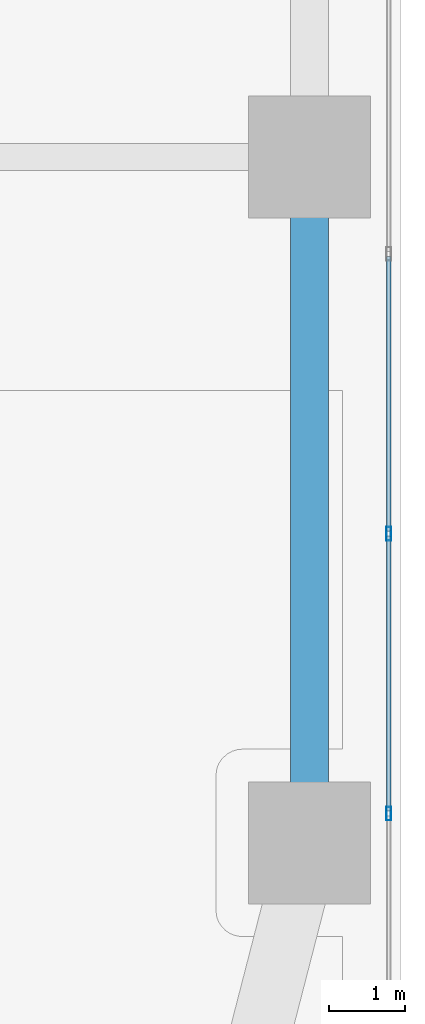
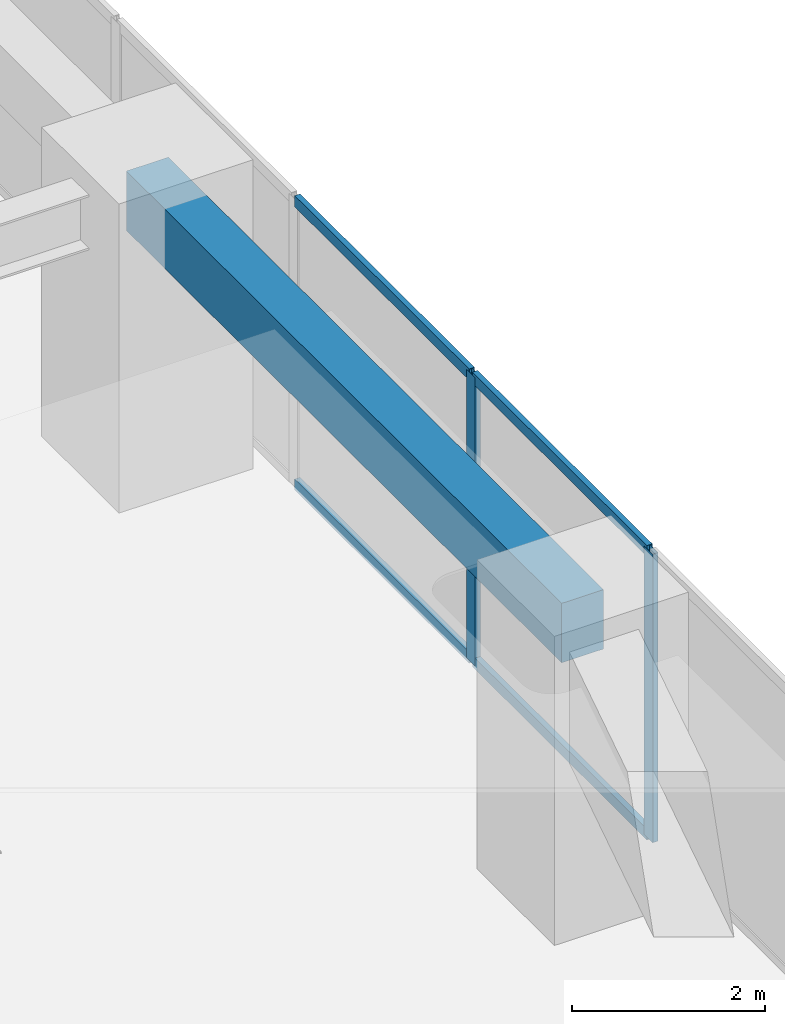
# One storey, part 9 of 26: 6 members, 1 beam, 1 element without a shape of its own.
"""IFC4 building model written with IfcOpenShell, lengths in metres."""

from ifc_helpers import new_model, si_unit, direction, frame, origin, origin_2d, place, context, subcontext, project, spatial, rectangle, hollow_rectangle, extrude, material, layer, layer_set, material_profile, profile_set, type_object, element, aggregate, save


model = new_model("IFC4")

# Units and contexts
model_context = context("Model", 3, precision=1e-05, world=origin(), true_north=direction((0.0, 1.0)))
body_context = subcontext(model_context, "Body", "Model", "MODEL_VIEW")
ifc_project = project(units=[si_unit("LENGTHUNIT", "METRE"), si_unit("AREAUNIT", "SQUARE_METRE"), si_unit("VOLUMEUNIT", "CUBIC_METRE"), si_unit("PLANEANGLEUNIT", "RADIAN"), si_unit("MASSUNIT", "GRAM", prefix="KILO")], contexts=[model_context])

# Site, building, storey
site_placement = place(None, origin())
site = spatial("IfcSite", under=ifc_project, at=site_placement, CompositionType="ELEMENT")
building_placement = place(site_placement, origin())
building = spatial("IfcBuilding", under=site, at=building_placement, Name="Kiyonajd Concourse Tower", CompositionType="ELEMENT")
storey_placement = place(building_placement, frame((0.0, 0.0, 72.89990234375)))
storey = spatial("IfcBuildingStorey", under=building, at=storey_placement, Name="L19", CompositionType="ELEMENT", Elevation=72.89990234375)

# Beam
ifc_material_1 = material(Name="Precast concrete C50/60", Category="concrete")
ifc_material_profile_1 = material_profile(ifc_material_1, rectangle(XDim=0.5, YDim=0.75, at=origin_2d()), Name="RCBM-500x750")
ifc_profile_set_1 = profile_set([ifc_material_profile_1], Name="Precast concrete C50/60")
beam_type = type_object("IfcBeamType", Name="BM-SPAN-RC", PredefinedType="SPANDREL", material=ifc_profile_set_1)
beam_placement = place(storey_placement, frame((78.0, 18.60009765625, 3.26513671875), z_axis=(0.0, 1.0, 0.0), x_axis=(-1.0, 0.0, 0.0)))
element("IfcBeam", 1, at=beam_placement, inside=storey, type_object=beam_type, Name="L19 Perimeter Bundled Tube Spandrel", PredefinedType="SPANDREL", context=body_context, shape_type="SweptSolid", body=[
    extrude(rectangle(XDim=0.5, YDim=0.75, at=origin_2d()), origin(), (0.0, 0.0, 1.0), 9.0),
])

# Curtain wall, members
ifc_material_2 = material(Name="Thermally Broken Anodised Aluminium", Category="aluminium")
ifc_layer = layer(ifc_material_2, 0.179931640625)
ifc_layer_set = layer_set([ifc_layer], Name="Thermally Broken Anodised Aluminium")
curtain_wall_type = type_object("IfcCurtainWallType", Name="CW-SYS-02", PredefinedType="NOTDEFINED", material=ifc_layer_set)
curtain_wall_placement = place(storey_placement, origin())
curtain_wall = element("IfcCurtainWall", 2, at=curtain_wall_placement, inside=storey, type_object=curtain_wall_type, Name="L19 Unitised Curtain Wall CW2", PredefinedType="NOTDEFINED")
ifc_material_profile_2 = material_profile(ifc_material_2, hollow_rectangle(XDim=0.06494140625, YDim=0.179931640625, WallThickness=0.00390625, at=origin_2d()), Name="MULL-65x180")
ifc_profile_set_2 = profile_set([ifc_material_profile_2], Name="Thermally Broken Anodised Aluminium")
member_type_1 = type_object("IfcMemberType", Name="MB-CW-MULL1", PredefinedType="MULLION", material=ifc_profile_set_2)
member_1_placement = place(storey_placement, frame((79.0400390625, 22.657470703125, 0.0), z_axis=(0.0, 0.0, 1.0), x_axis=(1.0, 0.0, 0.0)))
member_1 = element("IfcMember", 3, at=member_1_placement, type_object=member_type_1, Name="CW2 mullion 5", PredefinedType="MULLION", context=body_context, shape_type="SweptSolid", body=[
    extrude(hollow_rectangle(XDim=0.06494140625, YDim=0.179931640625, WallThickness=0.00390625, at=origin_2d()), origin(), (0.0, 0.0, 1.0), 3.64013671875),
])
member_2_placement = place(storey_placement, frame((79.0400390625, 18.984130859375, 0.0), z_axis=(0.0, 0.0, 1.0), x_axis=(1.0, 0.0, 0.0)))
member_2 = element("IfcMember", 4, at=member_2_placement, type_object=member_type_1, Name="CW2 mullion 6", PredefinedType="MULLION", context=body_context, shape_type="SweptSolid", body=[
    extrude(hollow_rectangle(XDim=0.06494140625, YDim=0.179931640625, WallThickness=0.00390625, at=origin_2d()), origin(), (0.0, 0.0, 1.0), 3.64013671875),
])
ifc_material_profile_3 = material_profile(ifc_material_2, hollow_rectangle(XDim=0.06494140625, YDim=0.139892578125, WallThickness=0.00390625, at=origin_2d()), Name="TRAN-65x140")
ifc_profile_set_3 = profile_set([ifc_material_profile_3], Name="Thermally Broken Anodised Aluminium")
member_type_2 = type_object("IfcMemberType", Name="MB-CW-TRAN1", PredefinedType="USERDEFINED", material=ifc_profile_set_3)
member_3_placement = place(storey_placement, frame((79.0400390625, 26.298095703125, 0.03271484375), z_axis=(0.0, -1.0, 0.0), x_axis=(1.0, 0.0, 0.0)))
member_3 = element("IfcMember", 5, at=member_3_placement, type_object=member_type_2, Name="CW2 transom 4.1", ObjectType="TRANSOM", PredefinedType="USERDEFINED", context=body_context, shape_type="SweptSolid", body=[
    extrude(hollow_rectangle(XDim=0.06494140625, YDim=0.139892578125, WallThickness=0.00390625, at=origin_2d()), origin(), (0.0, 0.0, 1.0), 3.608154296875),
])
member_4_placement = place(storey_placement, frame((79.0400390625, 26.298095703125, 3.607666015625), z_axis=(0.0, -1.0, 0.0), x_axis=(1.0, 0.0, 0.0)))
member_4 = element("IfcMember", 6, at=member_4_placement, type_object=member_type_2, Name="CW2 transom 4.2", ObjectType="TRANSOM", PredefinedType="USERDEFINED", context=body_context, shape_type="SweptSolid", body=[
    extrude(hollow_rectangle(XDim=0.06494140625, YDim=0.139892578125, WallThickness=0.00390625, at=origin_2d()), origin(), (0.0, 0.0, 1.0), 3.608154296875),
])
member_5_placement = place(storey_placement, frame((79.0400390625, 22.625, 0.03271484375), z_axis=(0.0, -1.0, 0.0), x_axis=(1.0, 0.0, 0.0)))
member_5 = element("IfcMember", 7, at=member_5_placement, type_object=member_type_2, Name="CW2 transom 5.1", ObjectType="TRANSOM", PredefinedType="USERDEFINED", context=body_context, shape_type="SweptSolid", body=[
    extrude(hollow_rectangle(XDim=0.06494140625, YDim=0.139892578125, WallThickness=0.00390625, at=origin_2d()), origin(), (0.0, 0.0, 1.0), 3.608154296875),
])
member_6_placement = place(storey_placement, frame((79.0400390625, 22.625, 3.607666015625), z_axis=(0.0, -1.0, 0.0), x_axis=(1.0, 0.0, 0.0)))
member_6 = element("IfcMember", 8, at=member_6_placement, type_object=member_type_2, Name="CW2 transom 5.2", ObjectType="TRANSOM", PredefinedType="USERDEFINED", context=body_context, shape_type="SweptSolid", body=[
    extrude(hollow_rectangle(XDim=0.06494140625, YDim=0.139892578125, WallThickness=0.00390625, at=origin_2d()), origin(), (0.0, 0.0, 1.0), 3.608154296875),
])
aggregate(curtain_wall, [member_1, member_2, member_3, member_4, member_5, member_6])

save(model, "model.ifc")
